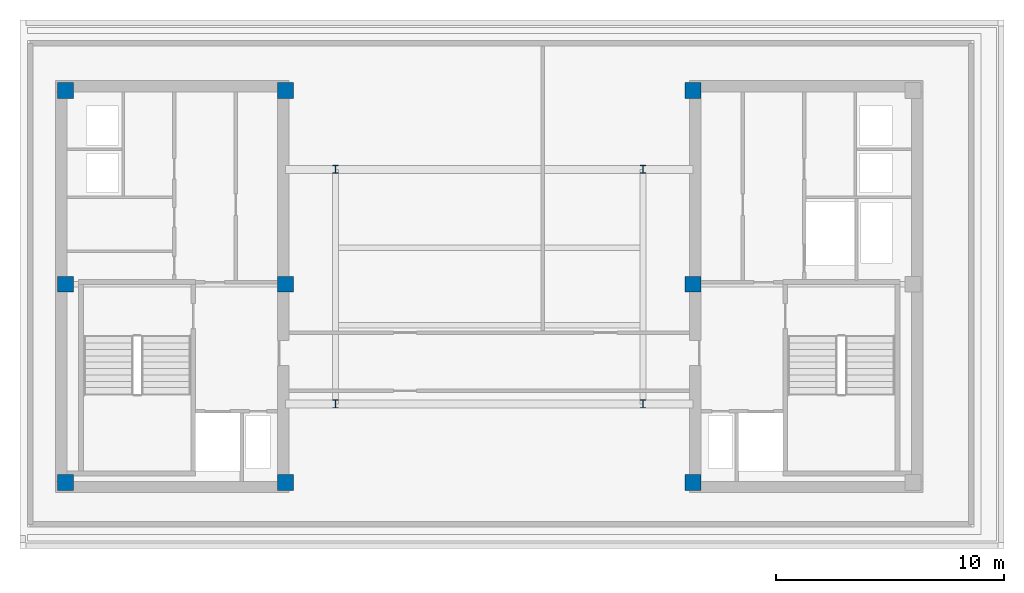
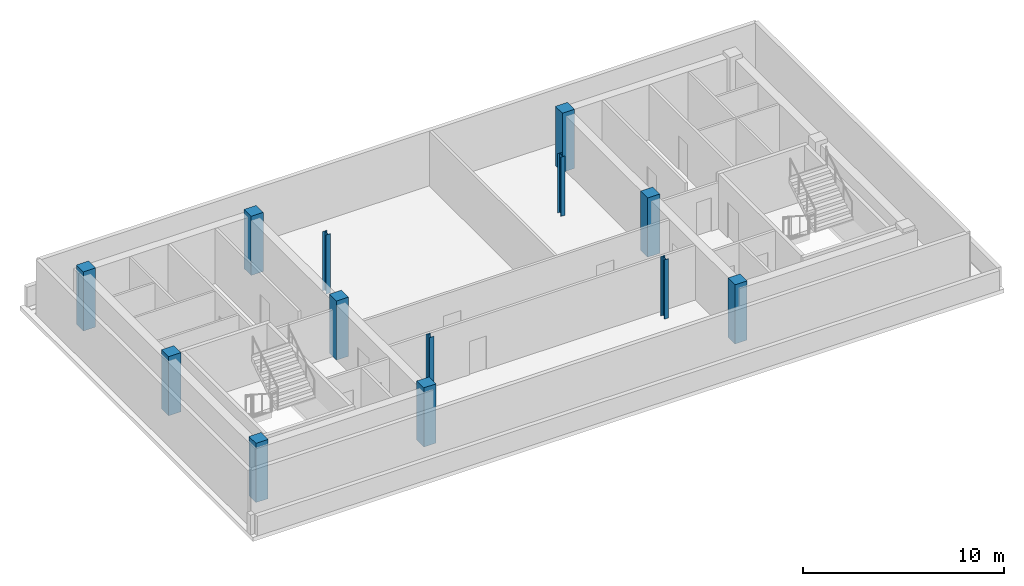
# One storey, part 1 of 5: 13 columns.
"""IFC4 building model written with IfcOpenShell, lengths in metres."""

from ifc_helpers import new_model, si_unit, direction, frame, origin, origin_2d, place, context, subcontext, project, spatial, rectangle, i_section, extrude, material, material_profile, profile_set, type_object, element, save


model = new_model("IFC4")

# Units and contexts
model_context = context("Model", 3, precision=1e-05, world=origin(), true_north=direction((0.0, 1.0)))
body_context = subcontext(model_context, "Body", "Model", "MODEL_VIEW")
ifc_project = project(units=[si_unit("LENGTHUNIT", "METRE"), si_unit("AREAUNIT", "SQUARE_METRE"), si_unit("VOLUMEUNIT", "CUBIC_METRE"), si_unit("PLANEANGLEUNIT", "RADIAN"), si_unit("MASSUNIT", "GRAM", prefix="KILO")], contexts=[model_context])

# Site, building, storey
site_placement = place(None, origin())
site = spatial("IfcSite", under=ifc_project, at=site_placement, CompositionType="ELEMENT")
building_placement = place(site_placement, origin())
building = spatial("IfcBuilding", under=site, at=building_placement, Name="Velakula Bourse", CompositionType="ELEMENT")
storey_placement = place(building_placement, frame((0.0, 0.0, 301.35009765625)))
storey = spatial("IfcBuildingStorey", under=building, at=storey_placement, Name="L82", CompositionType="ELEMENT", Elevation=301.35009765625)

# Columns
ifc_material_1 = material(Name="Steel IS 2062 Grade 350 (E350)", Category="steel")
ifc_material_profile_1 = material_profile(ifc_material_1, i_section(OverallWidth=0.25, OverallDepth=0.35009765625, WebThickness=0.010009765625, FlangeThickness=0.01171875, at=origin_2d()), Name="Steel IS 2062 Grade 350 (E350)")
ifc_profile_set_1 = profile_set([ifc_material_profile_1], Name="Steel IS 2062 Grade 350 (E350)")
column_type_1 = type_object("IfcColumnType", Name="COL-CRN-350", PredefinedType="COLUMN", material=ifc_profile_set_1)
for number, where, z_axis, x_axis, name in (
    (1, (-6.75, -5.14990234375, 0.0), (0.0, 0.0, 1.0), (1.0, 0.0, 0.0), "L82 Central Spine Column 01"),
    (2, (-6.75, 5.14990234375, 0.0), (0.0, 0.0, 1.0), (1.0, 0.0, 0.0), "L82 Central Spine Column 02"),
    (3, (6.75, -5.14990234375, 0.0), (0.0, 0.0, 1.0), (1.0, 0.0, 0.0), "L82 Central Spine Column 03"),
    (4, (6.75, 5.14990234375, 0.0), (0.0, 0.0, 1.0), (1.0, 0.0, 0.0), "L82 Central Spine Column 04"),
):
    element("IfcColumn", number, at=place(storey_placement, frame(where, z_axis=z_axis, x_axis=x_axis)), inside=storey, type_object=column_type_1, Name=name, PredefinedType="COLUMN", context=body_context, shape_type="SweptSolid", body=[
        extrude(i_section(OverallWidth=0.25, OverallDepth=0.35009765625, WebThickness=0.010009765625, FlangeThickness=0.01171875, at=origin_2d()), origin(), (0.0, 0.0, 1.0), 3.599853515625),
    ])
ifc_material_2 = material(Name="Concrete M50 (fck 50 MPa)", Category="concrete")
ifc_material_profile_2 = material_profile(ifc_material_2, rectangle(XDim=0.699951171875, YDim=0.699951171875, at=origin_2d()), Name="Concrete M50 (fck 50 MPa)")
ifc_profile_set_2 = profile_set([ifc_material_profile_2], Name="Concrete M50 (fck 50 MPa)")
column_type_2 = type_object("IfcColumnType", Name="COL-RC-700", PredefinedType="COLUMN", material=ifc_profile_set_2)
for number, where, z_axis, x_axis, name in (
    (5, (-8.949951171875, -8.60009765625, 0.0), (0.0, 0.0, 1.0), (1.0, 0.0, 0.0), "L82 Core Boundary Column 01"),
    (6, (-8.949951171875, 0.10009765625, 0.0), (0.0, 0.0, 1.0), (1.0, 0.0, 0.0), "L82 Core Boundary Column 02"),
    (7, (-8.949951171875, 8.60009765625, 0.0), (0.0, 0.0, 1.0), (1.0, 0.0, 0.0), "L82 Core Boundary Column 03"),
    (8, (-18.60009765625, -8.60009765625, 0.0), (0.0, 0.0, 1.0), (1.0, 0.0, 0.0), "L82 Core Boundary Column 04"),
    (9, (-18.60009765625, 0.10009765625, 0.0), (0.0, 0.0, 1.0), (1.0, 0.0, 0.0), "L82 Core Boundary Column 05"),
    (10, (-18.60009765625, 8.60009765625, 0.0), (0.0, 0.0, 1.0), (1.0, 0.0, 0.0), "L82 Core Boundary Column 06"),
    (11, (8.949951171875, -8.60009765625, 0.0), (0.0, 0.0, 1.0), (1.0, 0.0, 0.0), "L82 Core Boundary Column 07"),
    (12, (8.949951171875, 0.10009765625, 0.0), (0.0, 0.0, 1.0), (1.0, 0.0, 0.0), "L82 Core Boundary Column 08"),
    (13, (8.949951171875, 8.60009765625, 0.0), (0.0, 0.0, 1.0), (1.0, 0.0, 0.0), "L82 Core Boundary Column 09"),
):
    element("IfcColumn", number, at=place(storey_placement, frame(where, z_axis=z_axis, x_axis=x_axis)), inside=storey, type_object=column_type_2, Name=name, PredefinedType="COLUMN", context=body_context, shape_type="SweptSolid", body=[
        extrude(rectangle(XDim=0.699951171875, YDim=0.699951171875, at=origin_2d()), origin(), (0.0, 0.0, 1.0), 3.599853515625),
    ])

save(model, "model.ifc")
